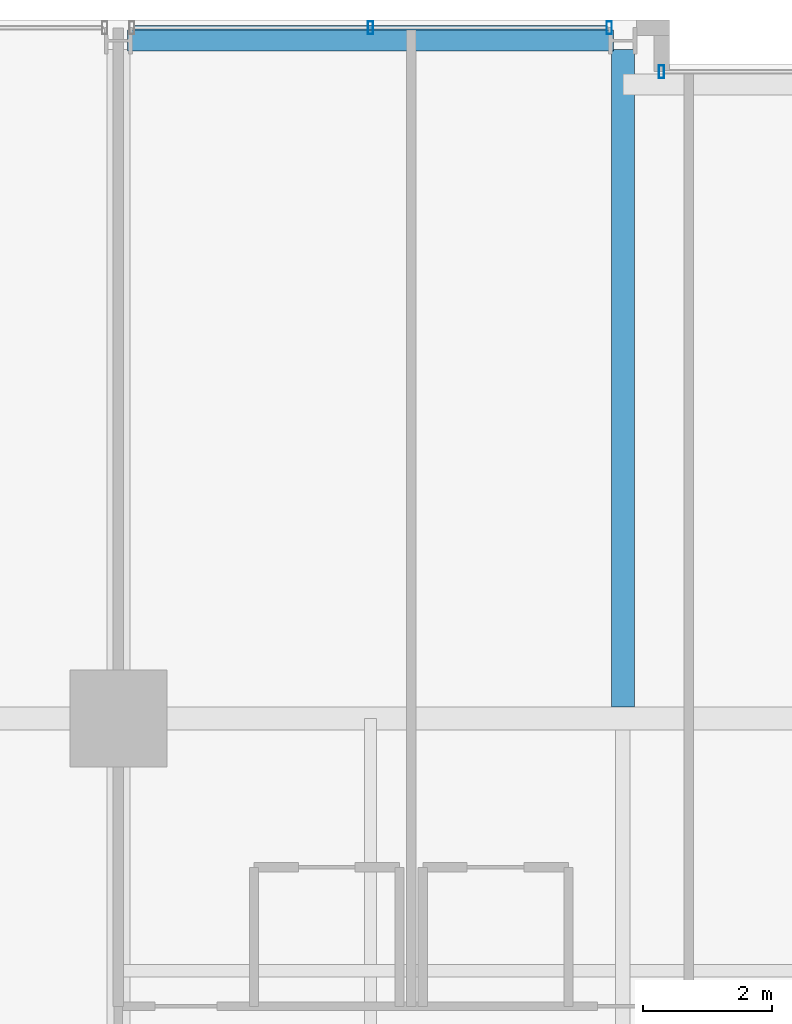
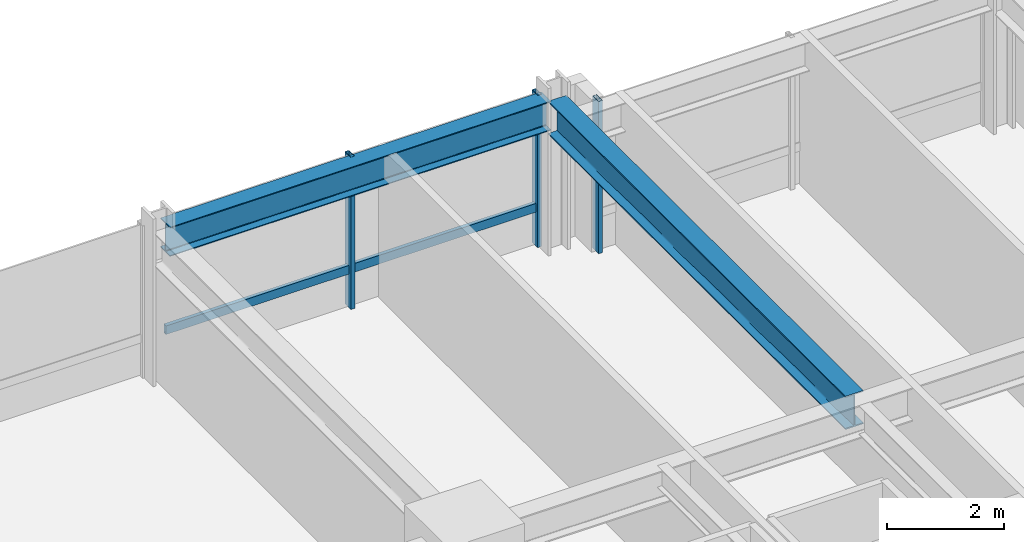
# One storey, part 21 of 35: 4 members, 2 beams, 2 elements without a shape of their own.
"""IFC4 building model written with IfcOpenShell, lengths in metres."""

from ifc_helpers import new_model, si_unit, direction, frame, origin, origin_2d, place, context, subcontext, project, spatial, hollow_rectangle, i_section, extrude, material, layer, layer_set, material_profile, profile_set, type_object, element, aggregate, save


model = new_model("IFC4")

# Units and contexts
model_context = context("Model", 3, precision=1e-05, world=origin(), true_north=direction((0.0, 1.0)))
body_context = subcontext(model_context, "Body", "Model", "MODEL_VIEW")
ifc_project = project(units=[si_unit("LENGTHUNIT", "METRE"), si_unit("AREAUNIT", "SQUARE_METRE"), si_unit("VOLUMEUNIT", "CUBIC_METRE"), si_unit("PLANEANGLEUNIT", "RADIAN"), si_unit("MASSUNIT", "GRAM", prefix="KILO")], contexts=[model_context])

# Site, building, storey
site_placement = place(None, origin())
site = spatial("IfcSite", under=ifc_project, at=site_placement, CompositionType="ELEMENT")
building_placement = place(site_placement, origin())
building = spatial("IfcBuilding", under=site, at=building_placement, Name="Drelvath Grand Hotel", CompositionType="ELEMENT")
storey_placement = place(building_placement, frame((0.0, 0.0, 137.300048828125)))
storey = spatial("IfcBuildingStorey", under=building, at=storey_placement, Name="L35", CompositionType="ELEMENT", Elevation=137.300048828125)

# Curtain wall, members
ifc_material_1 = material(Name="Champagne Bronze Anodised Aluminium Frame", Category="aluminium")
ifc_layer = layer(ifc_material_1, 0.199951171875)
ifc_layer_set = layer_set([ifc_layer], Name="Champagne Bronze Anodised Aluminium Frame")
curtain_wall_type = type_object("IfcCurtainWallType", Name="Stick Curtain Wall CW-03 Champagne Bronze Mid-Rise", PredefinedType="NOTDEFINED", material=ifc_layer_set)
curtain_wall_1_placement = place(storey_placement, origin())
curtain_wall_1 = element("IfcCurtainWall", 1, at=curtain_wall_1_placement, inside=storey, type_object=curtain_wall_type, Name="L35 CW-03 Curtain Wall CW03-L35-NW2", PredefinedType="NOTDEFINED")
ifc_material_profile_1 = material_profile(ifc_material_1, hollow_rectangle(XDim=0.074951171875, YDim=0.179931640625, WallThickness=0.0048828125, at=origin_2d()), Name="HSS180X75X5")
ifc_profile_set_1 = profile_set([ifc_material_profile_1], Name="Champagne Bronze Anodised Aluminium Frame")
member_type_1 = type_object("IfcMemberType", Name="Curtain Wall Horizontal Transom CW-03 HSS180X75X5", PredefinedType="USERDEFINED", material=ifc_profile_set_1)
member_1_placement = place(storey_placement, frame((-15.95068359375, 53.8798828125, 0.794921875), z_axis=(1.0, 0.0, 0.0), x_axis=(0.0, 1.0, 0.0)))
member_1 = element("IfcMember", 2, at=member_1_placement, type_object=member_type_1, Name="CW03-L35-NW2 Sill Transom", ObjectType="TRANSOM", PredefinedType="USERDEFINED", context=body_context, shape_type="SweptSolid", body=[
    extrude(hollow_rectangle(XDim=0.074951171875, YDim=0.179931640625, WallThickness=0.0048828125, at=origin_2d()), origin(), (0.0, 0.0, 1.0), 7.30126953125),
])
ifc_material_profile_2 = material_profile(ifc_material_1, hollow_rectangle(XDim=0.080078125, YDim=0.199951171875, WallThickness=0.0048828125, at=origin_2d()), Name="HSS200X80X5")
ifc_profile_set_2 = profile_set([ifc_material_profile_2], Name="Champagne Bronze Anodised Aluminium Frame")
member_type_2 = type_object("IfcMemberType", Name="Curtain Wall Vertical Mullion CW-03 HSS200X80X5", PredefinedType="MULLION", material=ifc_profile_set_2)
member_2_placement = place(storey_placement, frame((-12.300048828125, 53.8798828125, 0.0), z_axis=(0.0, 0.0, 1.0), x_axis=(1.0, 0.0, 0.0)))
member_2 = element("IfcMember", 3, at=member_2_placement, type_object=member_type_2, Name="CW03-L35-NW2 Mullion 2", PredefinedType="MULLION", context=body_context, shape_type="SweptSolid", body=[
    extrude(hollow_rectangle(XDim=0.080078125, YDim=0.199951171875, WallThickness=0.0048828125, at=origin_2d()), origin(), (0.0, 0.0, 1.0), 3.179931640625),
])
member_3_placement = place(storey_placement, frame((-8.609375, 53.8798828125, 0.0), z_axis=(0.0, 0.0, 1.0), x_axis=(1.0, 0.0, 0.0)))
member_3 = element("IfcMember", 4, at=member_3_placement, type_object=member_type_2, Name="CW03-L35-NW2 Mullion 3", PredefinedType="MULLION", context=body_context, shape_type="SweptSolid", body=[
    extrude(hollow_rectangle(XDim=0.080078125, YDim=0.199951171875, WallThickness=0.0048828125, at=origin_2d()), origin(), (0.0, 0.0, 1.0), 3.179931640625),
])
aggregate(curtain_wall_1, [member_2, member_3, member_1])

# Curtain wall, member
curtain_wall_2_placement = place(storey_placement, origin())
curtain_wall_2 = element("IfcCurtainWall", 5, at=curtain_wall_2_placement, inside=storey, type_object=curtain_wall_type, Name="L35 CW-03 Curtain Wall CW03-L35-NM1", PredefinedType="NOTDEFINED")
member_4_placement = place(storey_placement, frame((-7.800048828125, 53.199951171875, 0.0), z_axis=(0.0, 0.0, 1.0), x_axis=(1.0, 0.0, 0.0)))
member_4 = element("IfcMember", 6, at=member_4_placement, type_object=member_type_2, Name="CW03-L35-NM1 Mullion 1", PredefinedType="MULLION", context=body_context, shape_type="SweptSolid", body=[
    extrude(hollow_rectangle(XDim=0.080078125, YDim=0.199951171875, WallThickness=0.0048828125, at=origin_2d()), origin(), (0.0, 0.0, 1.0), 3.179931640625),
])
aggregate(curtain_wall_2, [member_4])

# Beams
ifc_material_2 = material(Name="Steel ASTM A992 Gr 50", Category="steel")
ifc_material_profile_3 = material_profile(ifc_material_2, i_section(OverallWidth=0.323974609375, OverallDepth=0.611083984375, WebThickness=0.0126953125, FlangeThickness=0.01904296875, FilletRadius=0.02197265625, at=origin_2d()), Name="W24X104")
ifc_profile_set_3 = profile_set([ifc_material_profile_3], Name="Steel ASTM A992 Gr 50")
beam_type_1 = type_object("IfcBeamType", Name="Perimeter Spandrel Beam W24X104", PredefinedType="SPANDREL", material=ifc_profile_set_3)
beam_1_placement = place(storey_placement, frame((-16.06005859375, 53.679931640625, 2.874267578125), z_axis=(1.0, 0.0, 0.0), x_axis=(0.0, 1.0, 0.0)))
element("IfcBeam", 7, at=beam_1_placement, inside=storey, type_object=beam_type_1, Name="L35 Spandrel North W", PredefinedType="SPANDREL", context=body_context, shape_type="SweptSolid", body=[
    extrude(i_section(OverallWidth=0.323974609375, OverallDepth=0.611083984375, WebThickness=0.0126953125, FlangeThickness=0.01904296875, FilletRadius=0.02197265625, at=origin_2d()), origin(), (0.0, 0.0, 1.0), 7.52001953125),
])
ifc_material_profile_4 = material_profile(ifc_material_2, i_section(OverallWidth=0.354736328125, OverallDepth=0.695556640625, WebThickness=0.015380859375, FlangeThickness=0.025146484375, FilletRadius=0.02392578125, at=origin_2d()), Name="W27X146")
ifc_profile_set_4 = profile_set([ifc_material_profile_4], Name="Steel ASTM A992 Gr 50")
beam_type_2 = type_object("IfcBeamType", Name="Primary Floor Girder W27X146", PredefinedType="BEAM", material=ifc_profile_set_4)
beam_2_placement = place(storey_placement, frame((-8.39990234375, 43.37744140625, 2.83203125), z_axis=(0.0, 1.0, 0.0), x_axis=(-1.0, 0.0, 0.0)))
element("IfcBeam", 8, at=beam_2_placement, inside=storey, type_object=beam_type_2, Name="L35 North Wing Girder 4", PredefinedType="BEAM", context=body_context, shape_type="SweptSolid", body=[
    extrude(i_section(OverallWidth=0.354736328125, OverallDepth=0.695556640625, WebThickness=0.015380859375, FlangeThickness=0.025146484375, FilletRadius=0.02392578125, at=origin_2d()), origin(), (0.0, 0.0, 1.0), 10.16259765625),
])

save(model, "model.ifc")
